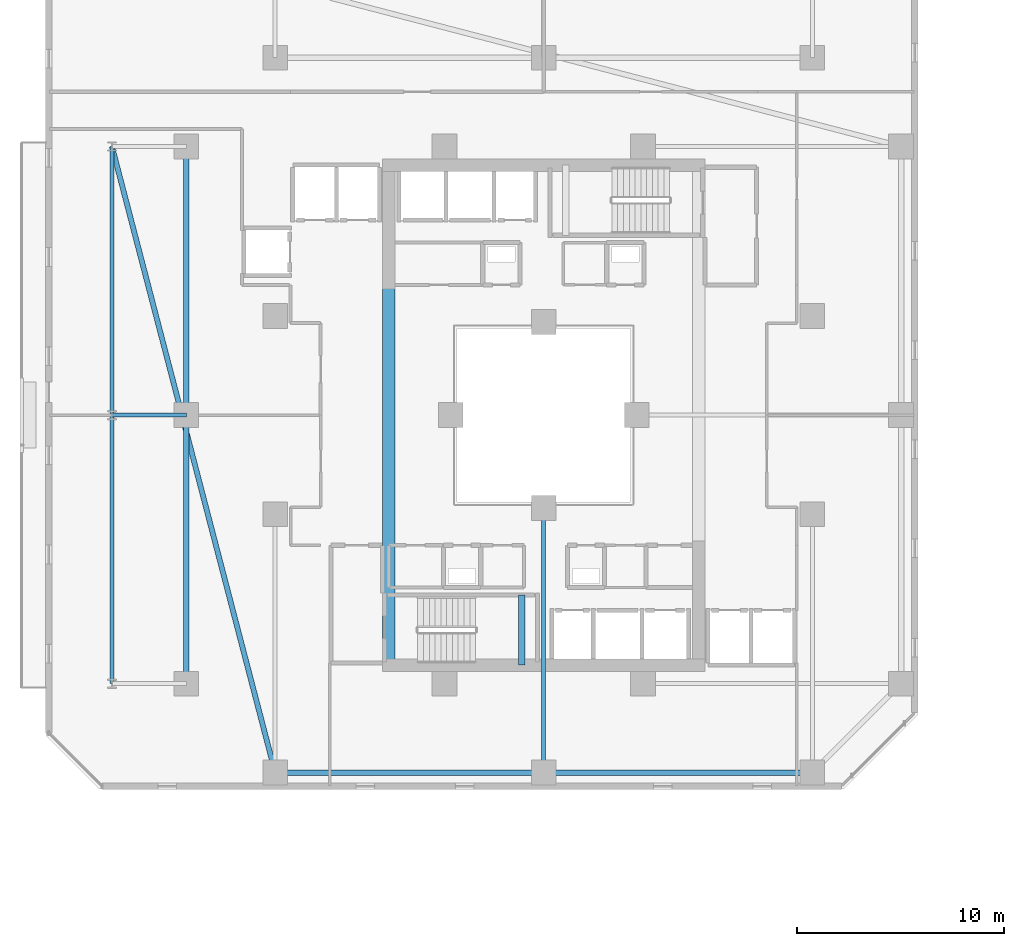
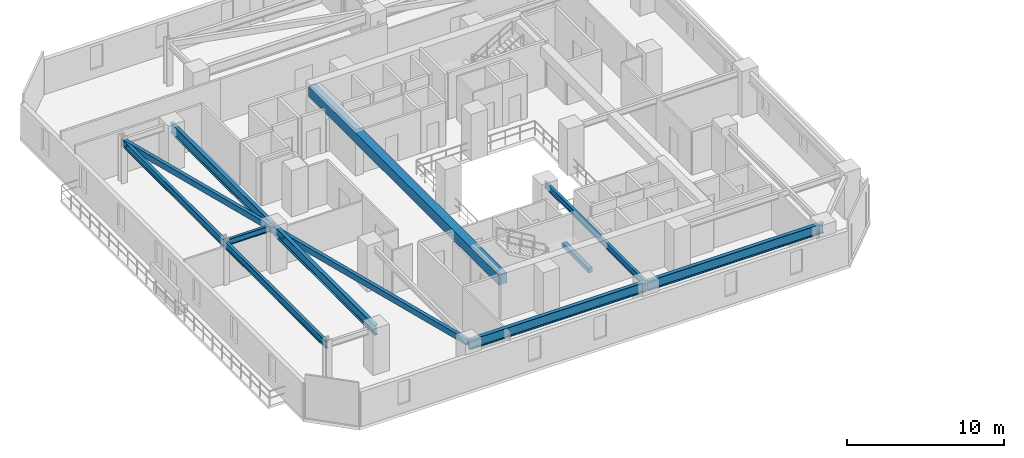
# One storey, part 4 of 33: 11 beams.
"""IFC4 building model written with IfcOpenShell, lengths in metres."""

from ifc_helpers import new_model, si_unit, direction, frame, origin, origin_2d, place, context, subcontext, project, spatial, rectangle, hollow_rectangle, i_section, extrude, material, material_profile, profile_set, type_object, element, save


model = new_model("IFC4")

# Units and contexts
model_context = context("Model", 3, precision=1e-05, world=origin(), true_north=direction((0.0, 1.0)))
body_context = subcontext(model_context, "Body", "Model", "MODEL_VIEW")
ifc_project = project(units=[si_unit("LENGTHUNIT", "METRE"), si_unit("AREAUNIT", "SQUARE_METRE"), si_unit("VOLUMEUNIT", "CUBIC_METRE"), si_unit("PLANEANGLEUNIT", "RADIAN"), si_unit("MASSUNIT", "GRAM", prefix="KILO")], contexts=[model_context])

# Site, building, storey
site_placement = place(None, origin())
site = spatial("IfcSite", under=ifc_project, at=site_placement, CompositionType="ELEMENT")
building_placement = place(site_placement, origin())
building = spatial("IfcBuilding", under=site, at=building_placement, Name="Thornwick Lancets Civic Towers", CompositionType="ELEMENT")
storey_placement = place(building_placement, frame((0.0, 0.0, 105.300048828125)))
storey = spatial("IfcBuildingStorey", under=building, at=storey_placement, Name="L27", CompositionType="ELEMENT", Elevation=105.300048828125)

# Beams
ifc_material_1 = material(Name="Concrete C60/75", Category="concrete")
ifc_material_profile_1 = material_profile(ifc_material_1, rectangle(XDim=0.60009765625, YDim=0.800048828125, at=origin_2d()), Name="RC 600x800")
ifc_profile_set_1 = profile_set([ifc_material_profile_1], Name="Concrete C60/75")
beam_type_1 = type_object("IfcBeamType", Name="BM_COUP_RC800", PredefinedType="BEAM", material=ifc_profile_set_1)
beam_1_placement = place(storey_placement, frame((18.0, 14.89990234375, 2.9599609375), z_axis=(0.0, 1.0, 0.0), x_axis=(-1.0, 0.0, 0.0)))
element("IfcBeam", 1, at=beam_1_placement, inside=storey, type_object=beam_type_1, Name="CB-L27-A2", PredefinedType="BEAM", context=body_context, shape_type="SweptSolid", body=[
    extrude(rectangle(XDim=0.60009765625, YDim=0.800048828125, at=origin_2d()), origin(), (0.0, 0.0, 1.0), 24.2001953125),
])
ifc_material_2 = material(Name="Steel S355JR", Category="steel")
ifc_material_profile_2 = material_profile(ifc_material_2, i_section(OverallWidth=0.2119140625, OverallDepth=0.54443359375, WebThickness=0.0126953125, FlangeThickness=0.021240234375, FilletRadius=0.0126953125, at=origin_2d()), Name="UKB 533x210x122")
ifc_profile_set_2 = profile_set([ifc_material_profile_2], Name="Steel S355JR")
beam_type_2 = type_object("IfcBeamType", Name="BM_EDGE_533_122", PredefinedType="SPANDREL", material=ifc_profile_set_2)
beam_2_placement = place(storey_placement, frame((4.60009765625, 14.0, 3.087646484375), z_axis=(0.0, 1.0, 0.0), x_axis=(-1.0, 0.0, 0.0)))
element("IfcBeam", 2, at=beam_2_placement, inside=storey, type_object=beam_type_2, Name="BM-EDGE-L27-A-S3-1", PredefinedType="SPANDREL", context=body_context, shape_type="SweptSolid", body=[
    extrude(i_section(OverallWidth=0.2119140625, OverallDepth=0.54443359375, WebThickness=0.0126953125, FlangeThickness=0.021240234375, FilletRadius=0.0126953125, at=origin_2d()), origin(), (0.0, 0.0, 1.0), 13.0),
])
beam_3_placement = place(storey_placement, frame((4.60009765625, 27.080078125, 3.087646484375), z_axis=(0.0, 1.0, 0.0), x_axis=(-1.0, 0.0, 0.0)))
element("IfcBeam", 3, at=beam_3_placement, inside=storey, type_object=beam_type_2, Name="BM-EDGE-L27-A-S3-2", PredefinedType="SPANDREL", context=body_context, shape_type="SweptSolid", body=[
    extrude(i_section(OverallWidth=0.2119140625, OverallDepth=0.54443359375, WebThickness=0.0126953125, FlangeThickness=0.021240234375, FilletRadius=0.0126953125, at=origin_2d()), origin(), (0.0, 0.0, 1.0), 12.919921875),
])
ifc_material_profile_3 = material_profile(ifc_material_2, i_section(OverallWidth=0.26806640625, OverallDepth=0.769775390625, WebThickness=0.015625, FlangeThickness=0.025390625, FilletRadius=0.0166015625, at=origin_2d()), Name="UKB 762x267x197")
ifc_profile_set_3 = profile_set([ifc_material_profile_3], Name="Steel S355JR")
beam_type_3 = type_object("IfcBeamType", Name="BM_GIRD_762_197", PredefinedType="BEAM", material=ifc_profile_set_3)
beam_4_placement = place(storey_placement, frame((12.5, 9.699951171875, 2.97509765625), z_axis=(1.0, 0.0, 0.0), x_axis=(0.0, 1.0, 0.0)))
element("IfcBeam", 4, at=beam_4_placement, inside=storey, type_object=beam_type_3, Name="BM-SPINE-L27-A-0-1", PredefinedType="BEAM", context=body_context, shape_type="SweptSolid", body=[
    extrude(i_section(OverallWidth=0.26806640625, OverallDepth=0.769775390625, WebThickness=0.015625, FlangeThickness=0.025390625, FilletRadius=0.0166015625, at=origin_2d()), origin(), (0.0, 0.0, 1.0), 13.0),
])
beam_5_placement = place(storey_placement, frame((25.580078125, 9.699951171875, 2.97509765625), z_axis=(1.0, 0.0, 0.0), x_axis=(0.0, 1.0, 0.0)))
element("IfcBeam", 5, at=beam_5_placement, inside=storey, type_object=beam_type_3, Name="BM-SPINE-L27-A-1-2", PredefinedType="BEAM", context=body_context, shape_type="SweptSolid", body=[
    extrude(i_section(OverallWidth=0.26806640625, OverallDepth=0.769775390625, WebThickness=0.015625, FlangeThickness=0.025390625, FilletRadius=0.0166015625, at=origin_2d()), origin(), (0.0, 0.0, 1.0), 12.919921875),
])
beam_6_placement = place(storey_placement, frame((8.199951171875, 14.0, 2.97509765625), z_axis=(0.0, 1.0, 0.0), x_axis=(-1.0, 0.0, 0.0)))
element("IfcBeam", 6, at=beam_6_placement, inside=storey, type_object=beam_type_3, Name="BM-SPINE-L27-A-9-10", PredefinedType="BEAM", context=body_context, shape_type="SweptSolid", body=[
    extrude(i_section(OverallWidth=0.26806640625, OverallDepth=0.769775390625, WebThickness=0.015625, FlangeThickness=0.025390625, FilletRadius=0.0166015625, at=origin_2d()), origin(), (0.0, 0.0, 1.0), 13.0),
])
beam_7_placement = place(storey_placement, frame((8.199951171875, 27.080078125, 2.97509765625), z_axis=(0.0, 1.0, 0.0), x_axis=(-1.0, 0.0, 0.0)))
element("IfcBeam", 7, at=beam_7_placement, inside=storey, type_object=beam_type_3, Name="BM-SPINE-L27-A-10-11", PredefinedType="BEAM", context=body_context, shape_type="SweptSolid", body=[
    extrude(i_section(OverallWidth=0.26806640625, OverallDepth=0.769775390625, WebThickness=0.015625, FlangeThickness=0.025390625, FilletRadius=0.0166015625, at=origin_2d()), origin(), (0.0, 0.0, 1.0), 12.919921875),
])
ifc_material_profile_4 = material_profile(ifc_material_2, i_section(OverallWidth=0.19287109375, OverallDepth=0.46728515625, WebThickness=0.011474609375, FlangeThickness=0.01953125, FilletRadius=0.01025390625, at=origin_2d()), Name="UKB 457x191x98")
ifc_profile_set_4 = profile_set([ifc_material_profile_4], Name="Steel S355JR")
beam_type_4 = type_object("IfcBeamType", Name="BM_JOIST_457_98", PredefinedType="JOIST", material=ifc_profile_set_4)
beam_8_placement = place(storey_placement, frame((25.5, 22.5, 3.12646484375), z_axis=(0.0, -1.0, 0.0), x_axis=(1.0, 0.0, 0.0)))
element("IfcBeam", 8, at=beam_8_placement, inside=storey, type_object=beam_type_4, Name="BM-RADIN-L27-A02", PredefinedType="JOIST", context=body_context, shape_type="SweptSolid", body=[
    extrude(i_section(OverallWidth=0.19287109375, OverallDepth=0.46728515625, WebThickness=0.011474609375, FlangeThickness=0.01953125, FilletRadius=0.01025390625, at=origin_2d()), origin(), (0.0, 0.0, 1.0), 12.800048828125),
])
beam_9_placement = place(storey_placement, frame((8.199951171875, 27.0, 3.12646484375), z_axis=(-1.0, 0.0, 0.0), x_axis=(0.0, -1.0, 0.0)))
element("IfcBeam", 9, at=beam_9_placement, inside=storey, type_object=beam_type_4, Name="BM-RAD-L27-A11", PredefinedType="JOIST", context=body_context, shape_type="SweptSolid", body=[
    extrude(i_section(OverallWidth=0.19287109375, OverallDepth=0.46728515625, WebThickness=0.011474609375, FlangeThickness=0.01953125, FilletRadius=0.01025390625, at=origin_2d()), origin(), (0.0, 0.0, 1.0), 3.599853515625),
])
ifc_material_profile_5 = material_profile(ifc_material_2, hollow_rectangle(XDim=0.25, YDim=0.449951171875, WallThickness=0.01611328125, at=origin_2d()), Name="RHS 450x250x16")
ifc_profile_set_5 = profile_set([ifc_material_profile_5], Name="Steel S355JR")
beam_type_5 = type_object("IfcBeamType", Name="BM_RING_RHS450", PredefinedType="BEAM", material=ifc_profile_set_5)
beam_10_placement = place(storey_placement, frame((4.60009765625, 40.0, 3.135009765625), z_axis=(0.252288590311, -0.967652038286, 0.0), x_axis=(0.967652038286, 0.252288590311, 0.0)))
element("IfcBeam", 10, at=beam_10_placement, inside=storey, type_object=beam_type_5, Name="BM-CHAMF-L27-A-C3", PredefinedType="BEAM", context=body_context, shape_type="SweptSolid", body=[
    extrude(hollow_rectangle(XDim=0.25, YDim=0.449951171875, WallThickness=0.01611328125, at=origin_2d()), origin(), (0.0, 0.0, 1.0), 31.31298828125),
])
ifc_material_3 = material(Name="Concrete C40/50", Category="concrete")
ifc_material_profile_6 = material_profile(ifc_material_3, rectangle(XDim=0.300048828125, YDim=0.35009765625, at=origin_2d()), Name="RC 300x350")
ifc_profile_set_6 = profile_set([ifc_material_profile_6], Name="Concrete C40/50")
beam_type_6 = type_object("IfcBeamType", Name="BM_STAIR_LDG", PredefinedType="BEAM", material=ifc_profile_set_6)
beam_11_placement = place(storey_placement, frame((24.43505859375, 14.89990234375, 1.3779296875), z_axis=(0.0, 1.0, 0.0), x_axis=(-1.0, 0.0, 0.0)))
element("IfcBeam", 11, at=beam_11_placement, inside=storey, type_object=beam_type_6, Name="L27 ST-A1 Landing Support Beam 1", PredefinedType="BEAM", context=body_context, shape_type="SweptSolid", body=[
    extrude(rectangle(XDim=0.300048828125, YDim=0.35009765625, at=origin_2d()), origin(), (0.0, 0.0, 1.0), 3.400146484375),
])

save(model, "model.ifc")
